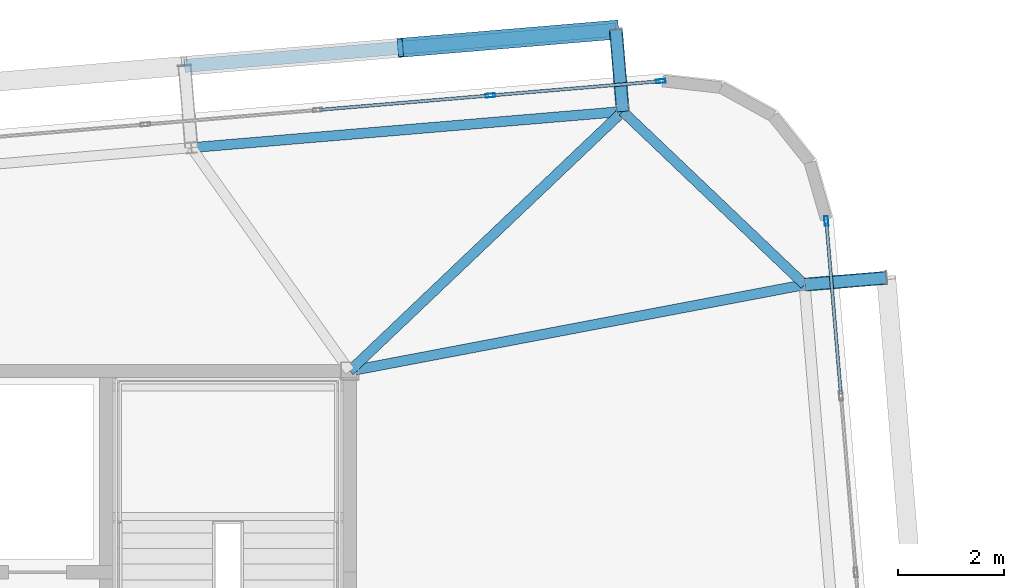
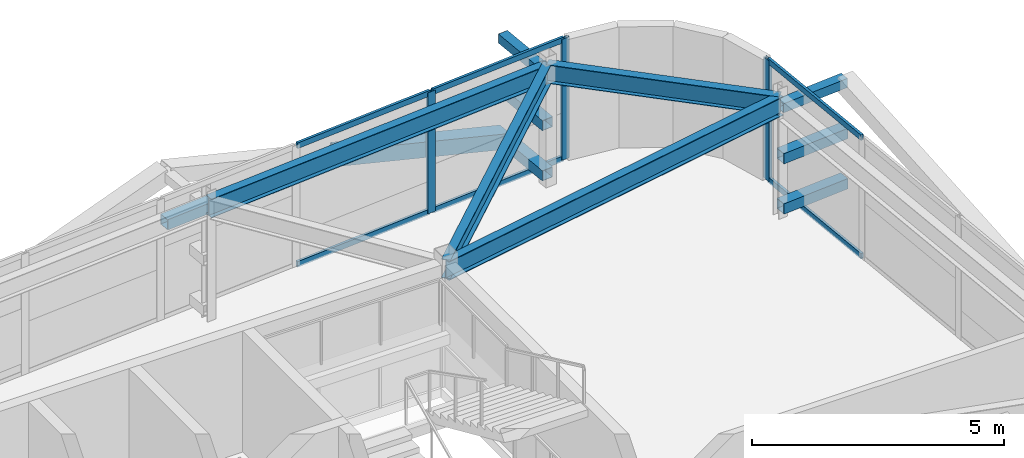
# One storey, part 31 of 46: 17 members, 4 beams, 2 elements without a shape of their own.
"""IFC4 building model written with IfcOpenShell, lengths in metres."""

from ifc_helpers import new_model, si_unit, direction, frame, origin, origin_2d, place, context, subcontext, project, spatial, hollow_rectangle, i_section, extrude, source, transform, mapped, material, layer, layer_set, material_profile, profile_set, type_object, element, aggregate, save


model = new_model("IFC4")

# Units and contexts
model_context = context("Model", 3, precision=1e-05, world=origin(), true_north=direction((0.0, 1.0)))
body_context = subcontext(model_context, "Body", "Model", "MODEL_VIEW")
ifc_project = project(units=[si_unit("LENGTHUNIT", "METRE"), si_unit("AREAUNIT", "SQUARE_METRE"), si_unit("VOLUMEUNIT", "CUBIC_METRE"), si_unit("PLANEANGLEUNIT", "RADIAN"), si_unit("MASSUNIT", "GRAM", prefix="KILO")], contexts=[model_context])

# Site, building, storey
site_placement = place(None, origin())
site = spatial("IfcSite", under=ifc_project, at=site_placement, CompositionType="ELEMENT")
building_placement = place(site_placement, origin())
building = spatial("IfcBuilding", under=site, at=building_placement, Name="Taldren Reach Tower", CompositionType="ELEMENT")
storey_placement = place(building_placement, frame((0.0, 0.0, 188.300048828125)))
storey = spatial("IfcBuildingStorey", under=building, at=storey_placement, Name="L57", CompositionType="ELEMENT", Elevation=188.300048828125)

# Members
ifc_material_1 = material(Name="Steel Gr 350 (C350L0)", Category="steel")
ifc_material_profile_1 = material_profile(ifc_material_1, hollow_rectangle(XDim=0.25, YDim=0.25, WallThickness=0.010009765625, at=origin_2d()), Name="250x250x10.0SHS")
ifc_profile_set_1 = profile_set([ifc_material_profile_1], Name="Steel Gr 350 (C350L0)")
member_type_1 = type_object("IfcMemberType", Name="MB-POST250", PredefinedType="POST", material=ifc_profile_set_1)
shared_shape_1 = source(origin(), body_context, "Body", "SweptSolid", [
    extrude(hollow_rectangle(XDim=0.25, YDim=0.25, WallThickness=0.010009765625, at=origin_2d()), origin(), (0.0, 0.0, 1.0), 1.5498046875),
])
for number, where, z_axis, x_axis, name in (
    (1, (56.160400390625, 36.906005859375, 0.219970703125), (-0.083645141657, 0.996495604746, 0.0), (-0.996495604746, -0.083645141657, 0.0), "Exoskeleton base diaphragm tie strut B4-N6 L57"),
    (2, (56.160400390625, 36.906005859375, 1.43505859375), (-0.083645141657, 0.996495604746, 0.0), (-0.996495604746, -0.083645141657, 0.0), "Exoskeleton mid-tier diaphragm tie B4-N6 L57"),
):
    element("IfcMember", number, at=place(storey_placement, frame(where, z_axis=z_axis, x_axis=x_axis)), inside=storey, type_object=member_type_1, Name=name, PredefinedType="POST", context=body_context, shape_type="MappedRepresentation", body=[
        mapped(shared_shape_1, transform((0.0, 0.0, 0.0), scale=1.0)),
    ])

# Beams
ifc_material_2 = material(Name="Steel Gr 350 (350PLUS)", Category="steel")
ifc_material_profile_2 = material_profile(ifc_material_2, i_section(OverallWidth=0.18994140625, OverallDepth=0.4541015625, WebThickness=0.008544921875, FlangeThickness=0.0126953125, at=origin_2d()), Name="460UB67.1")
ifc_profile_set_2 = profile_set([ifc_material_profile_2], Name="Steel Gr 350 (350PLUS)")
beam_type_1 = type_object("IfcBeamType", Name="SP-UB460B", PredefinedType="SPANDREL", material=ifc_profile_set_2)
shared_shape_2 = source(origin(), body_context, "Body", "SweptSolid", [
    extrude(i_section(OverallWidth=0.18994140625, OverallDepth=0.4541015625, WebThickness=0.008544921875, FlangeThickness=0.0126953125, at=origin_2d()), origin(), (0.0, 0.0, 1.0), 8.18017578125),
])
beam_1_placement = place(storey_placement, frame((56.160400390625, 36.906005859375, 2.702880859375), z_axis=(-0.996492034688, -0.083687662192, 0.0), x_axis=(0.083687662192, -0.996492034688, 0.0)))
element("IfcBeam", 3, at=beam_1_placement, inside=storey, type_object=beam_type_1, Name="Perimeter spandrel B4 N6-N5 L57", PredefinedType="SPANDREL", context=body_context, shape_type="MappedRepresentation", body=[
    mapped(shared_shape_2, transform((0.0, 0.0, 0.0), scale=1.0)),
])
shared_shape_3 = source(origin(), body_context, "Body", "SweptSolid", [
    extrude(i_section(OverallWidth=0.18994140625, OverallDepth=0.4541015625, WebThickness=0.008544921875, FlangeThickness=0.0126953125, at=origin_2d()), origin(), (0.0, 0.0, 1.0), 4.74609375),
])
beam_2_placement = place(storey_placement, frame((59.596435546875, 33.632080078125, 2.702880859375), z_axis=(-0.723978879349, 0.689822138132, 0.0), x_axis=(-0.689822138132, -0.723978879349, 0.0)))
element("IfcBeam", 4, at=beam_2_placement, inside=storey, type_object=beam_type_1, Name="Perimeter spandrel B4 E3-N6 L57", PredefinedType="SPANDREL", context=body_context, shape_type="MappedRepresentation", body=[
    mapped(shared_shape_3, transform((0.0, 0.0, 0.0), scale=1.0)),
])
ifc_material_profile_3 = material_profile(ifc_material_2, i_section(OverallWidth=0.19091796875, OverallDepth=0.4599609375, WebThickness=0.010009765625, FlangeThickness=0.01611328125, at=origin_2d()), Name="460UB82.1")
ifc_profile_set_3 = profile_set([ifc_material_profile_3], Name="Steel Gr 350 (350PLUS)")
beam_type_2 = type_object("IfcBeamType", Name="BM-UB460A", PredefinedType="BEAM", material=ifc_profile_set_3)
shared_shape_4 = source(origin(), body_context, "Body", "SweptSolid", [
    extrude(i_section(OverallWidth=0.19091796875, OverallDepth=0.4599609375, WebThickness=0.010009765625, FlangeThickness=0.01611328125, at=origin_2d()), origin(), (0.0, 0.0, 1.0), 8.75),
])
beam_3_placement = place(storey_placement, frame((51.0, 32.0, 2.699951171875), z_axis=(0.982450485799, 0.18652357211, 0.0), x_axis=(-0.18652357211, 0.982450485799, 0.0)))
element("IfcBeam", 5, at=beam_3_placement, inside=storey, type_object=beam_type_2, Name="Primary floor girder B4-E3 L57", PredefinedType="BEAM", context=body_context, shape_type="MappedRepresentation", body=[
    mapped(shared_shape_4, transform((0.0, 0.0, 0.0), scale=1.0)),
])
shared_shape_5 = source(origin(), body_context, "Body", "SweptSolid", [
    extrude(i_section(OverallWidth=0.19091796875, OverallDepth=0.4599609375, WebThickness=0.010009765625, FlangeThickness=0.01611328125, at=origin_2d()), origin(), (0.0, 0.0, 1.0), 7.120361328125),
])
beam_4_placement = place(storey_placement, frame((51.0, 32.0, 2.699951171875), z_axis=(0.724745130454, 0.689017050503, 0.0), x_axis=(-0.689017050503, 0.724745130454, 0.0)))
element("IfcBeam", 6, at=beam_4_placement, inside=storey, type_object=beam_type_2, Name="Primary floor girder B4-N6 L57", PredefinedType="BEAM", context=body_context, shape_type="MappedRepresentation", body=[
    mapped(shared_shape_5, transform((0.0, 0.0, 0.0), scale=1.0)),
])

# Members
ifc_material_3 = material(Name="Steel Gr 450 (C450L0)", Category="steel")
ifc_material_profile_4 = material_profile(ifc_material_3, hollow_rectangle(XDim=0.219970703125, YDim=0.219970703125, WallThickness=0.00830078125, at=origin_2d()), Name="220x220x8.2SHS")
ifc_profile_set_4 = profile_set([ifc_material_profile_4], Name="Steel Gr 450 (C450L0)")
member_type_2 = type_object("IfcMemberType", Name="MB-TIE219", PredefinedType="STRUT", material=ifc_profile_set_4)
shared_shape_6 = source(origin(), body_context, "Body", "SweptSolid", [
    extrude(hollow_rectangle(XDim=0.219970703125, YDim=0.219970703125, WallThickness=0.00830078125, at=origin_2d()), origin(), (0.0, 0.0, 1.0), 1.5498046875),
])
member_1_placement = place(storey_placement, frame((56.160400390625, 36.906005859375, 2.64990234375), z_axis=(-0.083645141657, 0.996495604746, 0.0), x_axis=(-0.996495604746, -0.083645141657, 0.0)))
element("IfcMember", 7, at=member_1_placement, inside=storey, type_object=member_type_2, Name="Exoskeleton diaphragm tie strut B4-N6 L57", PredefinedType="STRUT", context=body_context, shape_type="MappedRepresentation", body=[
    mapped(shared_shape_6, transform((0.0, 0.0, 0.0), scale=1.0)),
])
shared_shape_7 = source(origin(), body_context, "Body", "SweptSolid", [
    extrude(hollow_rectangle(XDim=0.219970703125, YDim=0.219970703125, WallThickness=0.00830078125, at=origin_2d()), origin(), (0.0, 0.0, 1.0), 1.545166015625),
])
member_2_placement = place(storey_placement, frame((59.60107421875, 33.63232421875, 2.64990234375), z_axis=(0.996487766615, 0.083738467783, 0.0), x_axis=(-0.083738467783, 0.996487766615, 0.0)))
element("IfcMember", 8, at=member_2_placement, inside=storey, type_object=member_type_2, Name="Exoskeleton diaphragm tie strut B4-E3 L57", PredefinedType="STRUT", context=body_context, shape_type="MappedRepresentation", body=[
    mapped(shared_shape_7, transform((0.0, 0.0, 0.0), scale=1.0)),
])
shared_shape_8 = source(origin(), body_context, "Body", "SweptSolid", [
    extrude(hollow_rectangle(XDim=0.25, YDim=0.25, WallThickness=0.010009765625, at=origin_2d()), origin(), (0.0, 0.0, 1.0), 8.179931640625),
])
member_3_placement = place(storey_placement, frame((47.87939453125, 37.76611328125, 1.43505859375), z_axis=(0.996494523218, 0.083658025296, 0.0), x_axis=(-0.083658025296, 0.996494523218, 0.0)))
element("IfcMember", 9, at=member_3_placement, inside=storey, type_object=member_type_1, Name="Exoskeleton mid-height ring chord B4-N5 L57", PredefinedType="POST", context=body_context, shape_type="MappedRepresentation", body=[
    mapped(shared_shape_8, transform((0.0, 0.0, 0.0), scale=1.0)),
])
shared_shape_9 = source(origin(), body_context, "Body", "SweptSolid", [
    extrude(hollow_rectangle(XDim=0.25, YDim=0.25, WallThickness=0.010009765625, at=origin_2d()), origin(), (0.0, 0.0, 1.0), 1.545166015625),
])
for number, where, z_axis, x_axis, name in (
    (10, (59.60107421875, 33.63232421875, 0.219970703125), (0.996487766615, 0.083738467783, 0.0), (-0.083738467783, 0.996487766615, 0.0), "Exoskeleton base diaphragm tie strut B4-E3 L57"),
    (11, (59.60107421875, 33.63232421875, 1.43505859375), (0.996487766615, 0.083738467783, 0.0), (-0.083738467783, 0.996487766615, 0.0), "Exoskeleton mid-tier diaphragm tie B4-E3 L57"),
):
    element("IfcMember", number, at=place(storey_placement, frame(where, z_axis=z_axis, x_axis=x_axis)), inside=storey, type_object=member_type_1, Name=name, PredefinedType="POST", context=body_context, shape_type="MappedRepresentation", body=[
        mapped(shared_shape_9, transform((0.0, 0.0, 0.0), scale=1.0)),
    ])
ifc_material_profile_5 = material_profile(ifc_material_3, hollow_rectangle(XDim=0.360107421875, YDim=0.360107421875, WallThickness=0.0126953125, at=origin_2d()), Name="360x360x12.7SHS")
ifc_profile_set_5 = profile_set([ifc_material_profile_5], Name="Steel Gr 450 (C450L0)")
member_type_3 = type_object("IfcMemberType", Name="MB-EXO356", PredefinedType="BRACE", material=ifc_profile_set_5)
shared_shape_10 = source(origin(), body_context, "Body", "SweptSolid", [
    extrude(hollow_rectangle(XDim=0.360107421875, YDim=0.360107421875, WallThickness=0.0126953125, at=origin_2d()), origin(), (0.0, 0.0, 1.0), 4.2666015625),
])
member_4_placement = place(storey_placement, frame((56.03076171875, 38.450439453125, 0.219970703125), z_axis=(-0.955233542365, -0.080165460216, 0.28478479336), x_axis=(0.083628388178, -0.996497010879, 0.0)))
element("IfcMember", 12, at=member_4_placement, inside=storey, type_object=member_type_3, Name="Exoskeleton Diagrid Brace B4-N5 L57", PredefinedType="BRACE", context=body_context, shape_type="MappedRepresentation", body=[
    mapped(shared_shape_10, transform((0.0, 0.0, 0.0), scale=1.0)),
])

# Curtain wall, members
ifc_material_4 = material(Name="Aluminium and Low-E Glass Unitised System", Category="aluminium")
ifc_layer = layer(ifc_material_4, 0.159912109375)
ifc_layer_set = layer_set([ifc_layer], Name="Aluminium and Low-E Glass Unitised System")
curtain_wall_type = type_object("IfcCurtainWallType", Name="CW-SYS-5", PredefinedType="NOTDEFINED", material=ifc_layer_set)
curtain_wall_1_placement = place(storey_placement, origin())
curtain_wall_1 = element("IfcCurtainWall", 13, at=curtain_wall_1_placement, inside=storey, type_object=curtain_wall_type, Name="Unitised curtain wall CW-L57-N", PredefinedType="NOTDEFINED")
ifc_material_5 = material(Name="Anodised Aluminium 6063-T6", Category="aluminium")
ifc_material_profile_6 = material_profile(ifc_material_5, hollow_rectangle(XDim=0.070068359375, YDim=0.179931640625, WallThickness=0.00390625, at=origin_2d()), Name="ALU-180x70x4RHS")
ifc_profile_set_6 = profile_set([ifc_material_profile_6], Name="Anodised Aluminium 6063-T6")
member_type_4 = type_object("IfcMemberType", Name="CW-MUL-180", PredefinedType="MULLION", material=ifc_profile_set_6)
shared_shape_11 = source(origin(), body_context, "Body", "SweptSolid", [
    extrude(hollow_rectangle(XDim=0.070068359375, YDim=0.179931640625, WallThickness=0.00390625, at=origin_2d()), origin(), (0.0, 0.0, 1.0), 2.929931640625),
])
member_5_placement = place(storey_placement, frame((56.8798828125, 37.478271484375, 0.0), z_axis=(0.0, 0.0, 1.0), x_axis=(0.083677875247, -0.99649285657, 0.0)))
member_5 = element("IfcMember", 14, at=member_5_placement, type_object=member_type_4, Name="CW-5 mullion 1", PredefinedType="MULLION", context=body_context, shape_type="MappedRepresentation", body=[
    mapped(shared_shape_11, transform((0.0, 0.0, 0.0), scale=1.0)),
])
member_6_placement = place(storey_placement, frame((53.6572265625, 37.20751953125, 0.0), z_axis=(0.0, 0.0, 1.0), x_axis=(0.083677875247, -0.99649285657, 0.0)))
member_6 = element("IfcMember", 15, at=member_6_placement, type_object=member_type_4, Name="CW-5 mullion 2", PredefinedType="MULLION", context=body_context, shape_type="MappedRepresentation", body=[
    mapped(shared_shape_11, transform((0.0, 0.0, 0.0), scale=1.0)),
])

# Curtain wall, member
curtain_wall_2_placement = place(storey_placement, origin())
curtain_wall_2 = element("IfcCurtainWall", 16, at=curtain_wall_2_placement, inside=storey, type_object=curtain_wall_type, Name="Unitised curtain wall CW-L57-E", PredefinedType="NOTDEFINED")
member_7_placement = place(storey_placement, frame((60.007080078125, 34.835693359375, 0.0), z_axis=(0.0, 0.0, 1.0), x_axis=(-0.996492847789, -0.083677979808, 0.0)))
member_7 = element("IfcMember", 17, at=member_7_placement, type_object=member_type_4, Name="CW-5 mullion 9", PredefinedType="MULLION", context=body_context, shape_type="MappedRepresentation", body=[
    mapped(shared_shape_11, transform((0.0, 0.0, 0.0), scale=1.0)),
])

# Member
ifc_material_profile_7 = material_profile(ifc_material_5, hollow_rectangle(XDim=0.06005859375, YDim=0.135009765625, WallThickness=0.00341796875, at=origin_2d()), Name="ALU-135x60x3.5RHS")
ifc_profile_set_7 = profile_set([ifc_material_profile_7], Name="Anodised Aluminium 6063-T6")
member_type_5 = type_object("IfcMemberType", Name="CW-TRN-150", PredefinedType="USERDEFINED", material=ifc_profile_set_7)
shared_shape_12 = source(origin(), body_context, "Body", "SweptSolid", [
    extrude(hollow_rectangle(XDim=0.06005859375, YDim=0.135009765625, WallThickness=0.00341796875, at=origin_2d()), origin(), (0.0, 0.0, 1.0), 3.19921875),
])
member_8_placement = place(storey_placement, frame((53.622314453125, 37.20458984375, 0.030029296875), z_axis=(-0.996496109493, -0.083639128198, 0.0), x_axis=(0.083639128198, -0.996496109493, 0.0)))
member_8 = element("IfcMember", 18, at=member_8_placement, type_object=member_type_5, Name="CW-5 transom 2.1", ObjectType="TRANSOM", PredefinedType="USERDEFINED", context=body_context, shape_type="MappedRepresentation", body=[
    mapped(shared_shape_12, transform((0.0, 0.0, 0.0), scale=1.0)),
])

member_9_placement = place(storey_placement, frame((53.622314453125, 37.20458984375, 2.89990234375), z_axis=(-0.996496109493, -0.083639128198, 0.0), x_axis=(0.083639128198, -0.996496109493, 0.0)))
member_9 = element("IfcMember", 19, at=member_9_placement, type_object=member_type_5, Name="CW-5 transom 2.2", ObjectType="TRANSOM", PredefinedType="USERDEFINED", context=body_context, shape_type="MappedRepresentation", body=[
    mapped(shared_shape_12, transform((0.0, 0.0, 0.0), scale=1.0)),
])

shared_shape_13 = source(origin(), body_context, "Body", "SweptSolid", [
    extrude(hollow_rectangle(XDim=0.06005859375, YDim=0.135009765625, WallThickness=0.00341796875, at=origin_2d()), origin(), (0.0, 0.0, 1.0), 3.164306640625),
])
member_10_placement = place(storey_placement, frame((56.84521484375, 37.475341796875, 0.030029296875), z_axis=(-0.996490200681, -0.083709497347, 0.0), x_axis=(0.083709497347, -0.996490200681, 0.0)))
member_10 = element("IfcMember", 20, at=member_10_placement, type_object=member_type_5, Name="CW-5 transom 1.1", ObjectType="TRANSOM", PredefinedType="USERDEFINED", context=body_context, shape_type="MappedRepresentation", body=[
    mapped(shared_shape_13, transform((0.0, 0.0, 0.0), scale=1.0)),
])

member_11_placement = place(storey_placement, frame((56.84521484375, 37.475341796875, 2.89990234375), z_axis=(-0.996490200681, -0.083709497347, 0.0), x_axis=(0.083709497347, -0.996490200681, 0.0)))
member_11 = element("IfcMember", 21, at=member_11_placement, type_object=member_type_5, Name="CW-5 transom 1.2", ObjectType="TRANSOM", PredefinedType="USERDEFINED", context=body_context, shape_type="MappedRepresentation", body=[
    mapped(shared_shape_13, transform((0.0, 0.0, 0.0), scale=1.0)),
])

aggregate(curtain_wall_1, [member_5, member_6, member_10, member_11, member_8, member_9])

shared_shape_14 = source(origin(), body_context, "Body", "SweptSolid", [
    extrude(hollow_rectangle(XDim=0.06005859375, YDim=0.135009765625, WallThickness=0.00341796875, at=origin_2d()), origin(), (0.0, 0.0, 1.0), 3.2451171875),
])
member_12_placement = place(storey_placement, frame((60.281494140625, 31.567138671875, 0.030029296875), z_axis=(-0.083661876203, 0.996494199918, 0.0), x_axis=(-0.996494199918, -0.083661876203, 0.0)))
member_12 = element("IfcMember", 22, at=member_12_placement, type_object=member_type_5, Name="CW-5 transom 8.1", ObjectType="TRANSOM", PredefinedType="USERDEFINED", context=body_context, shape_type="MappedRepresentation", body=[
    mapped(shared_shape_14, transform((0.0, 0.0, 0.0), scale=1.0)),
])

member_13_placement = place(storey_placement, frame((60.281494140625, 31.567138671875, 2.89990234375), z_axis=(-0.083661876203, 0.996494199918, 0.0), x_axis=(-0.996494199918, -0.083661876203, 0.0)))
member_13 = element("IfcMember", 23, at=member_13_placement, type_object=member_type_5, Name="CW-5 transom 8.2", ObjectType="TRANSOM", PredefinedType="USERDEFINED", context=body_context, shape_type="MappedRepresentation", body=[
    mapped(shared_shape_14, transform((0.0, 0.0, 0.0), scale=1.0)),
])

aggregate(curtain_wall_2, [member_7, member_12, member_13])

save(model, "model.ifc")
